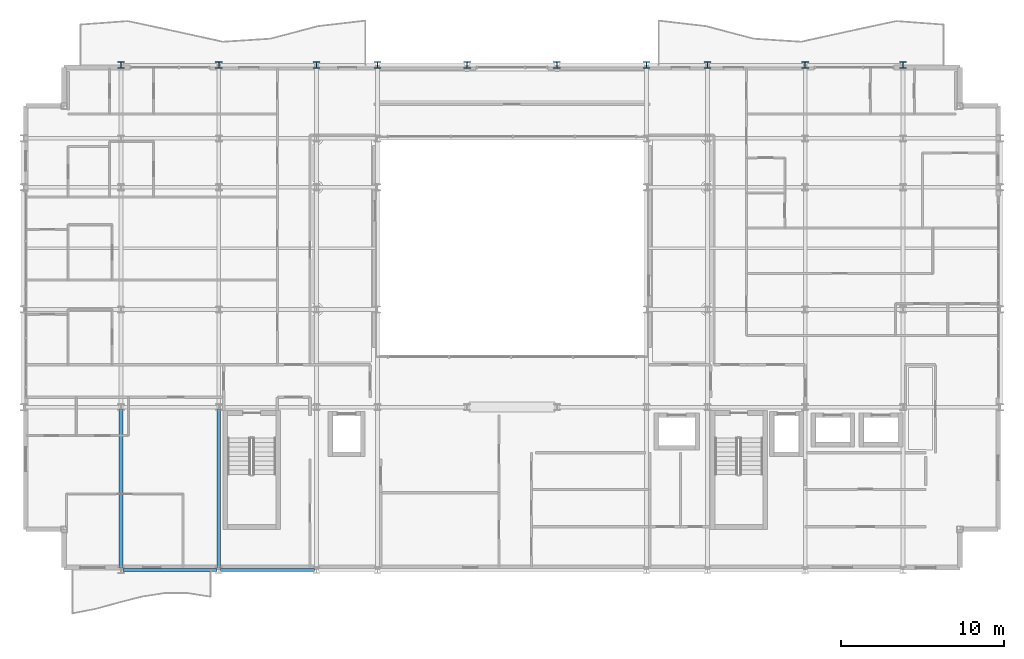
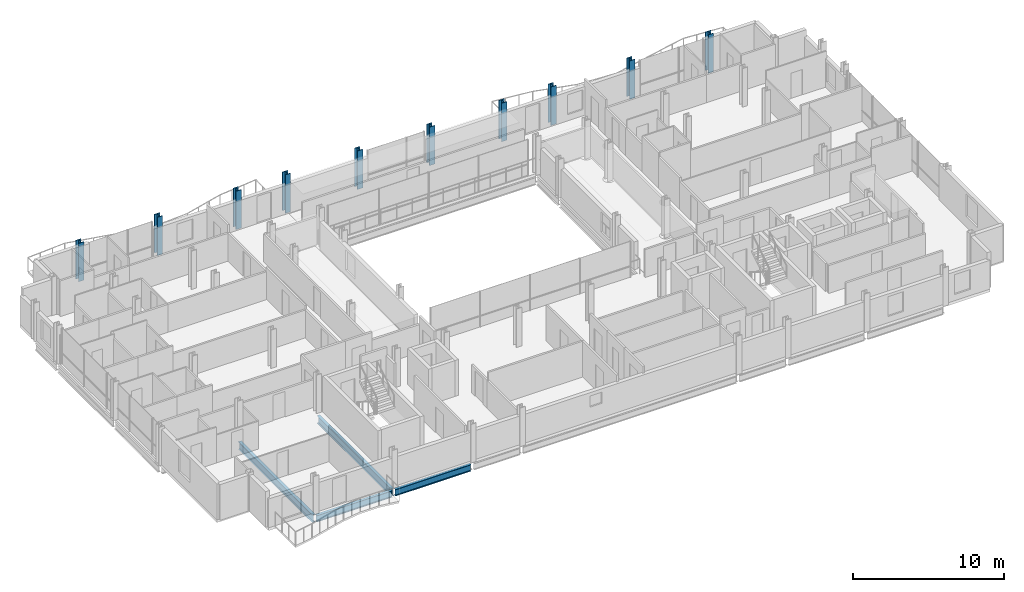
# One storey, part 3 of 41: 10 columns, 4 beams.
"""IFC4 building model written with IfcOpenShell, lengths in metres."""

from ifc_helpers import new_model, si_unit, direction, frame, origin, origin_2d, place, context, subcontext, project, spatial, i_section, extrude, material, material_profile, profile_set, type_object, element, save


model = new_model("IFC4")

# Units and contexts
model_context = context("Model", 3, precision=1e-05, world=origin(), true_north=direction((0.0, 1.0)))
body_context = subcontext(model_context, "Body", "Model", "MODEL_VIEW")
ifc_project = project(units=[si_unit("LENGTHUNIT", "METRE"), si_unit("AREAUNIT", "SQUARE_METRE"), si_unit("VOLUMEUNIT", "CUBIC_METRE"), si_unit("PLANEANGLEUNIT", "RADIAN"), si_unit("MASSUNIT", "GRAM", prefix="KILO")], contexts=[model_context])

# Site, building, storey
site_placement = place(None, origin())
site = spatial("IfcSite", under=ifc_project, at=site_placement, CompositionType="ELEMENT")
building_placement = place(site_placement, origin())
building = spatial("IfcBuilding", under=site, at=building_placement, Name="Brevholm Reach", CompositionType="ELEMENT")
storey_placement = place(building_placement, frame((0.0, 0.0, 151.10009765625)))
storey = spatial("IfcBuildingStorey", under=building, at=storey_placement, Name="L45", CompositionType="ELEMENT", Elevation=151.10009765625)

# Columns
ifc_material_1 = material(Name="Structural Steel S355J2", Category="steel")
ifc_material_profile_1 = material_profile(ifc_material_1, i_section(OverallWidth=0.406982421875, OverallDepth=0.4189453125, WebThickness=0.030517578125, FlangeThickness=0.04931640625, FilletRadius=0.01513671875, at=origin_2d()), Name="UKC 356x406x393")
ifc_profile_set_1 = profile_set([ifc_material_profile_1], Name="Structural Steel S355J2")
column_type = type_object("IfcColumnType", Name="COL-UC4", PredefinedType="COLUMN", material=ifc_profile_set_1)
for number, where, z_axis, x_axis, name in (
    (1, (6.0, 31.0, 0.0), (0.0, 0.0, 1.0), (1.0, 0.0, 0.0), "L45 Column 12"),
    (2, (12.0, 31.0, 0.0), (0.0, 0.0, 1.0), (1.0, 0.0, 0.0), "L45 Column 18"),
    (3, (18.0, 31.0, 0.0), (0.0, 0.0, 1.0), (1.0, 0.0, 0.0), "L45 Column 24"),
    (4, (21.75, 31.0, 0.0), (0.0, 0.0, 1.0), (1.0, 0.0, 0.0), "L45 Column 30"),
    (5, (27.25, 31.0, 0.0), (0.0, 0.0, 1.0), (1.0, 0.0, 0.0), "L45 Column 32"),
    (6, (32.75, 31.0, 0.0), (0.0, 0.0, 1.0), (1.0, 0.0, 0.0), "L45 Column 34"),
    (7, (38.25, 31.0, 0.0), (0.0, 0.0, 1.0), (1.0, 0.0, 0.0), "L45 Column 40"),
    (8, (42.0, 31.0, 0.0), (0.0, 0.0, 1.0), (1.0, 0.0, 0.0), "L45 Column 46"),
    (9, (48.0, 31.0, 0.0), (0.0, 0.0, 1.0), (1.0, 0.0, 0.0), "L45 Column 52"),
    (10, (54.0, 31.0, 0.0), (0.0, 0.0, 1.0), (1.0, 0.0, 0.0), "L45 Column 58"),
):
    element("IfcColumn", number, at=place(storey_placement, frame(where, z_axis=z_axis, x_axis=x_axis)), inside=storey, type_object=column_type, Name=name, PredefinedType="COLUMN", context=body_context, shape_type="SweptSolid", body=[
        extrude(i_section(OverallWidth=0.406982421875, OverallDepth=0.4189453125, WebThickness=0.030517578125, FlangeThickness=0.04931640625, FilletRadius=0.01513671875, at=origin_2d()), origin(), (0.0, 0.0, 1.0), 3.099853515625),
    ])

# Beams
ifc_material_2 = material(Name="Structural Steel S355J2", Category="steel")
ifc_material_profile_2 = material_profile(ifc_material_2, i_section(OverallWidth=0.209228515625, OverallDepth=0.533203125, WebThickness=0.010009765625, FlangeThickness=0.015625, FilletRadius=0.0126953125, at=origin_2d()), Name="UKB 533x210x92")
ifc_profile_set_2 = profile_set([ifc_material_profile_2], Name="Structural Steel S355J2")
beam_type_1 = type_object("IfcBeamType", Name="BM-SP533", PredefinedType="SPANDREL", material=ifc_profile_set_2)
for number, where, z_axis, x_axis, name in (
    (11, (6.1201171875, 0.0, -0.486572265625), (1.0, 0.0, 0.0), (0.0, 1.0, 0.0), "L45 SP-02 Framing Beam"),
    (12, (12.1201171875, 0.0, -0.486572265625), (1.0, 0.0, 0.0), (0.0, 1.0, 0.0), "L45 SP-02 Framing Beam"),
):
    element("IfcBeam", number, at=place(storey_placement, frame(where, z_axis=z_axis, x_axis=x_axis)), inside=storey, type_object=beam_type_1, Name=name, PredefinedType="SPANDREL", context=body_context, shape_type="SweptSolid", body=[
        extrude(i_section(OverallWidth=0.209228515625, OverallDepth=0.533203125, WebThickness=0.010009765625, FlangeThickness=0.015625, FilletRadius=0.0126953125, at=origin_2d()), origin(), (0.0, 0.0, 1.0), 5.759765625),
    ])
ifc_material_3 = material(Name="Structural Steel S355J2", Category="steel")
ifc_material_profile_3 = material_profile(ifc_material_3, i_section(OverallWidth=0.22900390625, OverallDepth=0.6123046875, WebThickness=0.011962890625, FlangeThickness=0.01953125, FilletRadius=0.0126953125, at=origin_2d()), Name="UKB 610x229x125")
ifc_profile_set_3 = profile_set([ifc_material_profile_3], Name="Structural Steel S355J2")
beam_type_2 = type_object("IfcBeamType", Name="BM-SP610", PredefinedType="SPANDREL", material=ifc_profile_set_3)
for number, where, z_axis, x_axis, name in (
    (13, (6.0, 0.1201171875, -0.526123046875), (0.0, 1.0, 0.0), (-1.0, 0.0, 0.0), "L45 SP-01 Framing Beam"),
    (14, (12.0, 0.1201171875, -0.526123046875), (0.0, 1.0, 0.0), (-1.0, 0.0, 0.0), "L45 SP-01 Framing Beam"),
):
    element("IfcBeam", number, at=place(storey_placement, frame(where, z_axis=z_axis, x_axis=x_axis)), inside=storey, type_object=beam_type_2, Name=name, PredefinedType="SPANDREL", context=body_context, shape_type="SweptSolid", body=[
        extrude(i_section(OverallWidth=0.22900390625, OverallDepth=0.6123046875, WebThickness=0.011962890625, FlangeThickness=0.01953125, FilletRadius=0.0126953125, at=origin_2d()), origin(), (0.0, 0.0, 1.0), 9.759765625),
    ])

save(model, "model.ifc")
